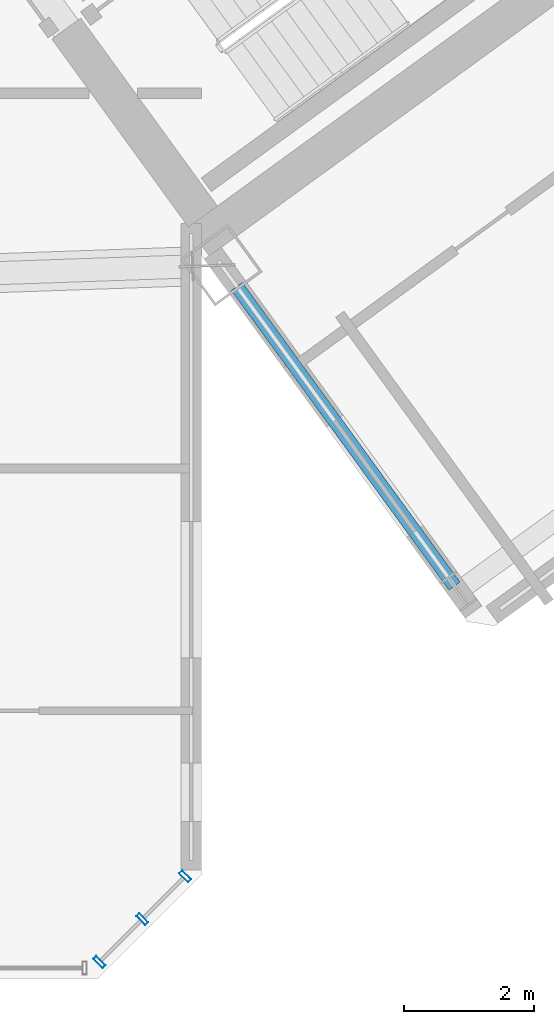
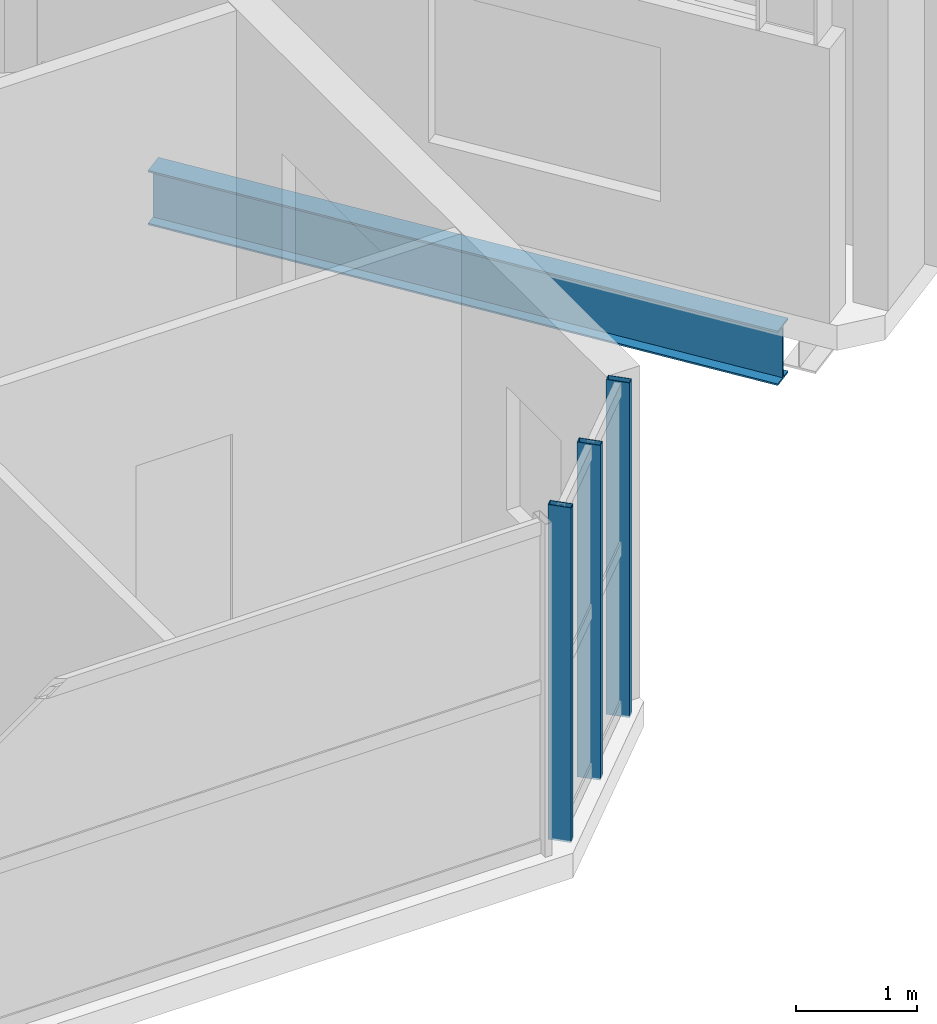
# One storey, part 10 of 29: 3 members, 1 beam, 1 element without a shape of its own.
"""IFC4 building model written with IfcOpenShell, lengths in metres."""

from ifc_helpers import new_model, si_unit, direction, frame, origin, origin_2d, place, context, subcontext, project, spatial, hollow_rectangle, i_section, extrude, source, transform, mapped, material, material_profile, profile_set, type_object, element, aggregate, save


model = new_model("IFC4")

# Units and contexts
model_context = context("Model", 3, precision=1e-05, world=origin(), true_north=direction((0.0, 1.0)))
body_context = subcontext(model_context, "Body", "Model", "MODEL_VIEW")
ifc_project = project(units=[si_unit("LENGTHUNIT", "METRE"), si_unit("AREAUNIT", "SQUARE_METRE"), si_unit("VOLUMEUNIT", "CUBIC_METRE"), si_unit("PLANEANGLEUNIT", "RADIAN"), si_unit("MASSUNIT", "GRAM", prefix="KILO")], contexts=[model_context])

# Site, building, storey
site_placement = place(None, origin())
site = spatial("IfcSite", under=ifc_project, at=site_placement, CompositionType="ELEMENT")
building_placement = place(site_placement, origin())
building = spatial("IfcBuilding", under=site, at=building_placement, Name="Tlacorven Tower", CompositionType="ELEMENT")
storey_placement = place(building_placement, frame((0.0, 0.0, 151.5)))
storey = spatial("IfcBuildingStorey", under=building, at=storey_placement, Name="L38", CompositionType="ELEMENT", Elevation=151.5)

# Beam
ifc_material_1 = material(Name="Steel S355J2", Category="steel")
ifc_material_profile_1 = material_profile(ifc_material_1, i_section(OverallWidth=0.2099609375, OverallDepth=0.550048828125, WebThickness=0.010986328125, FlangeThickness=0.01708984375, at=origin_2d()), Name="IPE 550")
ifc_profile_set_1 = profile_set([ifc_material_profile_1], Name="Steel S355J2")
beam_type = type_object("IfcBeamType", Name="BM-TWR-550", PredefinedType="BEAM", material=ifc_profile_set_1)
shared_shape_1 = source(origin(), body_context, "Body", "SweptSolid", [
    extrude(i_section(OverallWidth=0.2099609375, OverallDepth=0.550048828125, WebThickness=0.010986328125, FlangeThickness=0.01708984375, at=origin_2d()), origin(), (0.0, 0.0, 1.0), 5.699951171875),
])
beam_placement = place(storey_placement, frame((56.291015625, 7.83837890625, -0.52490234375), z_axis=(-0.587815099892, 0.808995307983, 0.0), x_axis=(-0.808995307983, -0.587815099892, 0.0)))
element("IfcBeam", 1, at=beam_placement, inside=storey, type_object=beam_type, Name="L38 beam BM-L38-ET1-1", PredefinedType="BEAM", context=body_context, shape_type="MappedRepresentation", body=[
    mapped(shared_shape_1, transform((0.0, 0.0, 0.0), scale=1.0)),
])

# Curtain wall, members
ifc_material_2 = material(Name="Dark solar low-E double glazing in aluminium frame", Category="aluminium")
curtain_wall_type = type_object("IfcCurtainWallType", Name="CW-TWR-MID", PredefinedType="USERDEFINED", material=ifc_material_2)
curtain_wall_placement = place(storey_placement, origin())
curtain_wall = element("IfcCurtainWall", 2, at=curtain_wall_placement, inside=storey, type_object=curtain_wall_type, Name="L38 CW-TWR-MID Curtain Wall 167", ObjectType="UNITISED CURTAIN WALL", PredefinedType="USERDEFINED")
ifc_material_3 = material(Name="Aluminium 6063-T6 anodised", Category="aluminium")
ifc_material_profile_2 = material_profile(ifc_material_3, hollow_rectangle(XDim=0.06494140625, YDim=0.199951171875, WallThickness=0.00439453125, at=origin_2d()), Name="ALU MULLION 65X200")
ifc_profile_set_2 = profile_set([ifc_material_profile_2], Name="Aluminium 6063-T6 anodised")
member_type = type_object("IfcMemberType", Name="CWM-02", PredefinedType="MULLION", material=ifc_profile_set_2)
shared_shape_2 = source(origin(), body_context, "Body", "SweptSolid", [
    extrude(hollow_rectangle(XDim=0.06494140625, YDim=0.199951171875, WallThickness=0.00439453125, at=origin_2d()), origin(), (0.0, 0.0, 1.0), 3.380126953125),
])
member_1_placement = place(storey_placement, frame((52.146240234375, 3.37255859375, -0.02001953125), z_axis=(0.0, 0.0, 1.0), x_axis=(-0.707106781187, -0.707106781187, 0.0)))
member_1 = element("IfcMember", 3, at=member_1_placement, type_object=member_type, Name="CW-L38-167 Mullion 1", PredefinedType="MULLION", context=body_context, shape_type="MappedRepresentation", body=[
    mapped(shared_shape_2, transform((0.0, 0.0, 0.0), scale=1.0)),
])
member_2_placement = place(storey_placement, frame((51.48681640625, 2.713134765625, -0.02001953125), z_axis=(0.0, 0.0, 1.0), x_axis=(-0.707106781187, -0.707106781187, 0.0)))
member_2 = element("IfcMember", 4, at=member_2_placement, type_object=member_type, Name="CW-L38-167 Mullion 2", PredefinedType="MULLION", context=body_context, shape_type="MappedRepresentation", body=[
    mapped(shared_shape_2, transform((0.0, 0.0, 0.0), scale=1.0)),
])
member_3_placement = place(storey_placement, frame((50.827392578125, 2.0537109375, -0.02001953125), z_axis=(0.0, 0.0, 1.0), x_axis=(-0.707106781187, -0.707106781187, 0.0)))
member_3 = element("IfcMember", 5, at=member_3_placement, type_object=member_type, Name="CW-L38-167 Mullion 3", PredefinedType="MULLION", context=body_context, shape_type="MappedRepresentation", body=[
    mapped(shared_shape_2, transform((0.0, 0.0, 0.0), scale=1.0)),
])
aggregate(curtain_wall, [member_1, member_2, member_3])

save(model, "model.ifc")
